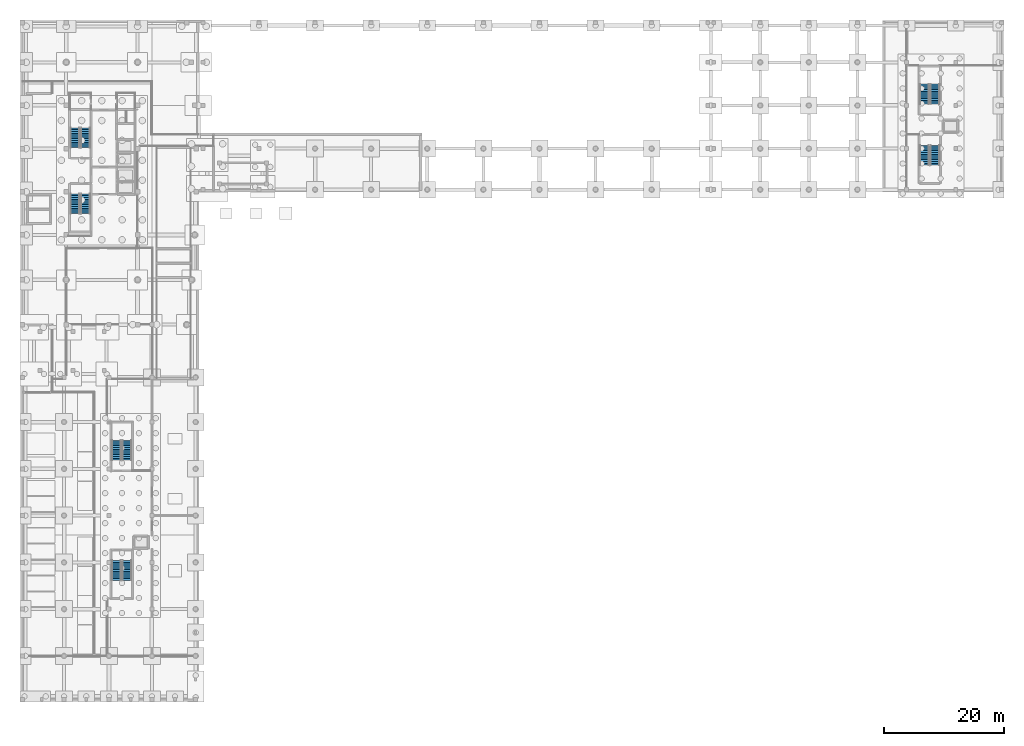
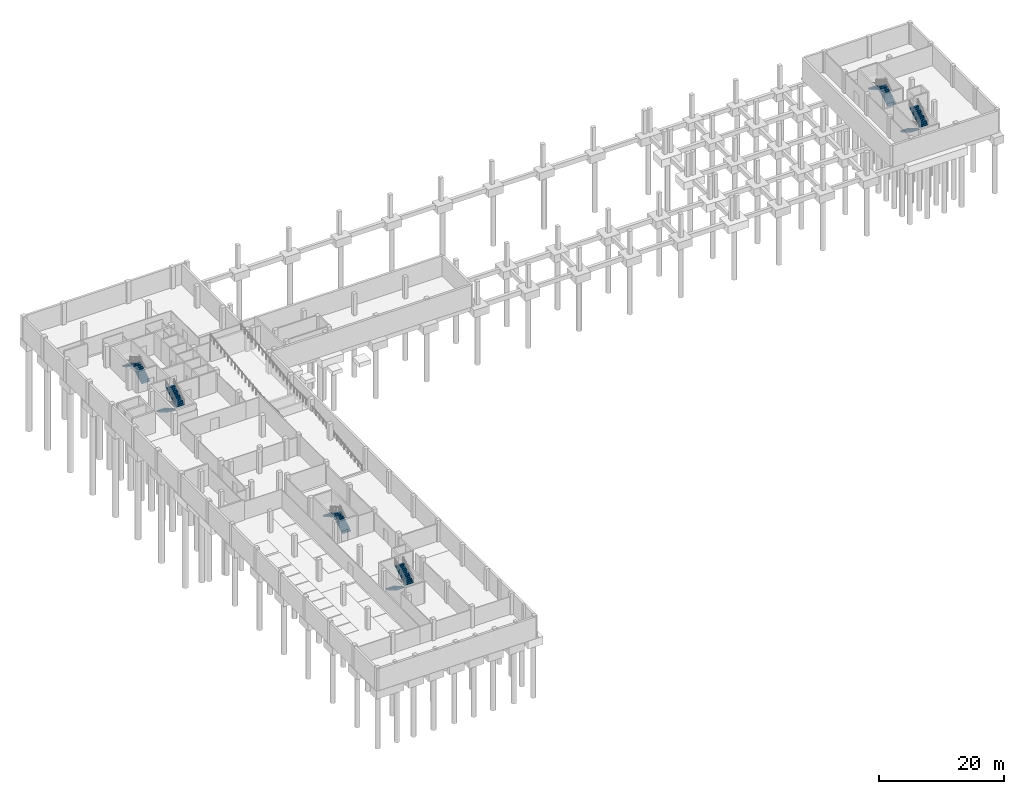
# One storey, part 15 of 21: 12 stair flights, 6 elements without a shape of their own.
"""IFC4 building model written with IfcOpenShell, lengths in metres."""

from ifc_helpers import new_model, si_unit, direction, frame, origin, place, context, subcontext, project, spatial, polyline, outline, extrude, material, type_object, element, aggregate, save


model = new_model("IFC4")

# Units and contexts
model_context = context("Model", 3, precision=1e-05, world=origin(), true_north=direction((0.0, 1.0)))
body_context = subcontext(model_context, "Body", "Model", "MODEL_VIEW")
ifc_project = project(units=[si_unit("LENGTHUNIT", "METRE"), si_unit("AREAUNIT", "SQUARE_METRE"), si_unit("VOLUMEUNIT", "CUBIC_METRE"), si_unit("PLANEANGLEUNIT", "RADIAN"), si_unit("MASSUNIT", "GRAM", prefix="KILO")], contexts=[model_context])

# Site, building, storey
site_placement = place(None, origin())
site = spatial("IfcSite", under=ifc_project, at=site_placement, CompositionType="ELEMENT")
building_placement = place(site_placement, origin())
building = spatial("IfcBuilding", under=site, at=building_placement, Name="Quillay Park Conservatory", CompositionType="ELEMENT")
storey_placement = place(building_placement, frame((0.0, 0.0, -8.39990234375)))
storey = spatial("IfcBuildingStorey", under=building, at=storey_placement, Name="B2", CompositionType="ELEMENT", Elevation=-8.39990234375)

# Stair, stair flights
ifc_material_1 = material(Name="Concrete C35/45 (NCh170 Concrete C35/45)", Category="concrete")
stair_type = type_object("IfcStairType", Name="ENCLOSED DOG LEG STAIR 4200", PredefinedType="HALF_TURN_STAIR", material=ifc_material_1)
stair_1_placement = place(storey_placement, origin())
stair_1 = element("IfcStair", 1, at=stair_1_placement, inside=storey, type_object=stair_type, Name="B2 Tower Protected Exit Stair 1", PredefinedType="HALF_TURN_STAIR")
ifc_material_2 = material(Name="Concrete C35/45 (NCh170 Concrete C35/45)", Category="concrete")
stair_flight_type = type_object("IfcStairFlightType", Name="STRAIGHT STAIR FLIGHT 4200", PredefinedType="STRAIGHT", material=ifc_material_2)
stair_flight_1_placement = place(storey_placement, frame((11.090087890625, 92.550048828125, 0.0), z_axis=(0.0, 0.0, 1.0), x_axis=(0.0, 1.0, 0.0)))
stair_flight_1 = element("IfcStairFlight", 2, at=stair_flight_1_placement, type_object=stair_flight_type, Name="ST-T1 flight 1", NumberOfRisers=12, NumberOfTreads=11, PredefinedType="STRAIGHT", RiserHeight=0.175, TreadLength=0.3, context=body_context, shape_type="SweptSolid", body=[
    extrude(outline(polyline([(0.0, 0.0), (0.0, 0.175048828125), (0.300048828125, 0.175048828125), (0.300048828125, 0.35009765625), (0.60009765625, 0.35009765625), (0.60009765625, 0.52490234375), (0.89990234375, 0.52490234375), (0.89990234375, 0.699951171875), (1.199951171875, 0.699951171875), (1.199951171875, 0.875), (1.5, 0.875), (1.5, 1.050048828125), (1.800048828125, 1.050048828125), (1.800048828125, 1.22509765625), (2.10009765625, 1.22509765625), (2.10009765625, 1.39990234375), (2.39990234375, 1.39990234375), (2.39990234375, 1.574951171875), (2.699951171875, 1.574951171875), (2.699951171875, 1.75), (3.0, 1.75), (3.0, 1.925048828125), (3.300048828125, 1.925048828125), (3.300048828125, 2.10009765625), (3.300048828125, 1.75146484375), (0.297607421875, 0.0), (0.0, 0.0)])), frame((0.0, 0.780029296875, 0.0), z_axis=(0.0, -1.0, 0.0), x_axis=(1.0, 0.0, 0.0)), (0.0, 0.0, 1.0), 1.56005859375),
])
stair_flight_2_placement = place(storey_placement, frame((9.330078125, 95.85009765625, 2.099853515625), z_axis=(0.0, 0.0, 1.0), x_axis=(0.0, -1.0, 0.0)))
stair_flight_2 = element("IfcStairFlight", 3, at=stair_flight_2_placement, type_object=stair_flight_type, Name="ST-T1 flight 2", NumberOfRisers=12, NumberOfTreads=11, PredefinedType="STRAIGHT", RiserHeight=0.175, TreadLength=0.3, context=body_context, shape_type="SweptSolid", body=[
    extrude(outline(polyline([(0.0, 0.0), (0.0, 0.175048828125), (0.300048828125, 0.175048828125), (0.300048828125, 0.35009765625), (0.60009765625, 0.35009765625), (0.60009765625, 0.52490234375), (0.89990234375, 0.52490234375), (0.89990234375, 0.699951171875), (1.199951171875, 0.699951171875), (1.199951171875, 0.875), (1.5, 0.875), (1.5, 1.050048828125), (1.800048828125, 1.050048828125), (1.800048828125, 1.22509765625), (2.10009765625, 1.22509765625), (2.10009765625, 1.39990234375), (2.39990234375, 1.39990234375), (2.39990234375, 1.574951171875), (2.699951171875, 1.574951171875), (2.699951171875, 1.75), (3.0, 1.75), (3.0, 1.925048828125), (3.300048828125, 1.925048828125), (3.300048828125, 2.10009765625), (3.300048828125, 1.75146484375), (0.297607421875, 0.0), (0.0, 0.0)])), frame((0.0, 0.780029296875, 0.0), z_axis=(0.0, -1.0, 0.0), x_axis=(1.0, 0.0, 0.0)), (0.0, 0.0, 1.0), 1.56005859375),
])
aggregate(stair_1, [stair_flight_1, stair_flight_2])

stair_2_placement = place(storey_placement, origin())
stair_2 = element("IfcStair", 4, at=stair_2_placement, inside=storey, type_object=stair_type, Name="B2 Tower Protected Exit Stair 2", PredefinedType="HALF_TURN_STAIR")
stair_flight_3_placement = place(storey_placement, frame((9.330078125, 84.85009765625, 0.0), z_axis=(0.0, 0.0, 1.0), x_axis=(0.0, -1.0, 0.0)))
stair_flight_3 = element("IfcStairFlight", 5, at=stair_flight_3_placement, type_object=stair_flight_type, Name="ST-T2 flight 1", NumberOfRisers=12, NumberOfTreads=11, PredefinedType="STRAIGHT", RiserHeight=0.175, TreadLength=0.3, context=body_context, shape_type="SweptSolid", body=[
    extrude(outline(polyline([(0.0, 0.0), (0.0, 0.175048828125), (0.300048828125, 0.175048828125), (0.300048828125, 0.35009765625), (0.60009765625, 0.35009765625), (0.60009765625, 0.52490234375), (0.89990234375, 0.52490234375), (0.89990234375, 0.699951171875), (1.199951171875, 0.699951171875), (1.199951171875, 0.875), (1.5, 0.875), (1.5, 1.050048828125), (1.800048828125, 1.050048828125), (1.800048828125, 1.22509765625), (2.10009765625, 1.22509765625), (2.10009765625, 1.39990234375), (2.39990234375, 1.39990234375), (2.39990234375, 1.574951171875), (2.699951171875, 1.574951171875), (2.699951171875, 1.75), (3.0, 1.75), (3.0, 1.925048828125), (3.300048828125, 1.925048828125), (3.300048828125, 2.10009765625), (3.300048828125, 1.75146484375), (0.297607421875, 0.0), (0.0, 0.0)])), frame((0.0, 0.780029296875, 0.0), z_axis=(0.0, -1.0, 0.0), x_axis=(1.0, 0.0, 0.0)), (0.0, 0.0, 1.0), 1.56005859375),
])
stair_flight_4_placement = place(storey_placement, frame((11.090087890625, 81.550048828125, 2.099853515625), z_axis=(0.0, 0.0, 1.0), x_axis=(0.0, 1.0, 0.0)))
stair_flight_4 = element("IfcStairFlight", 6, at=stair_flight_4_placement, type_object=stair_flight_type, Name="ST-T2 flight 2", NumberOfRisers=12, NumberOfTreads=11, PredefinedType="STRAIGHT", RiserHeight=0.175, TreadLength=0.3, context=body_context, shape_type="SweptSolid", body=[
    extrude(outline(polyline([(0.0, 0.0), (0.0, 0.175048828125), (0.300048828125, 0.175048828125), (0.300048828125, 0.35009765625), (0.60009765625, 0.35009765625), (0.60009765625, 0.52490234375), (0.89990234375, 0.52490234375), (0.89990234375, 0.699951171875), (1.199951171875, 0.699951171875), (1.199951171875, 0.875), (1.5, 0.875), (1.5, 1.050048828125), (1.800048828125, 1.050048828125), (1.800048828125, 1.22509765625), (2.10009765625, 1.22509765625), (2.10009765625, 1.39990234375), (2.39990234375, 1.39990234375), (2.39990234375, 1.574951171875), (2.699951171875, 1.574951171875), (2.699951171875, 1.75), (3.0, 1.75), (3.0, 1.925048828125), (3.300048828125, 1.925048828125), (3.300048828125, 2.10009765625), (3.300048828125, 1.75146484375), (0.297607421875, 0.0), (0.0, 0.0)])), frame((0.0, 0.780029296875, 0.0), z_axis=(0.0, -1.0, 0.0), x_axis=(1.0, 0.0, 0.0)), (0.0, 0.0, 1.0), 1.56005859375),
])
aggregate(stair_2, [stair_flight_3, stair_flight_4])

stair_3_placement = place(storey_placement, origin())
stair_3 = element("IfcStair", 7, at=stair_3_placement, inside=storey, type_object=stair_type, Name="B2 Visitor Centre Exit Stair 1", PredefinedType="HALF_TURN_STAIR")
stair_flight_5_placement = place(storey_placement, frame((16.22998046875, 23.699951171875, 0.0), z_axis=(0.0, 0.0, 1.0), x_axis=(0.0, -1.0, 0.0)))
stair_flight_5 = element("IfcStairFlight", 8, at=stair_flight_5_placement, type_object=stair_flight_type, Name="ST-V1 flight 1", NumberOfRisers=12, NumberOfTreads=11, PredefinedType="STRAIGHT", RiserHeight=0.175, TreadLength=0.3, context=body_context, shape_type="SweptSolid", body=[
    extrude(outline(polyline([(0.0, 0.0), (0.0, 0.175048828125), (0.300048828125, 0.175048828125), (0.300048828125, 0.35009765625), (0.60009765625, 0.35009765625), (0.60009765625, 0.52490234375), (0.89990234375, 0.52490234375), (0.89990234375, 0.699951171875), (1.199951171875, 0.699951171875), (1.199951171875, 0.875), (1.5, 0.875), (1.5, 1.050048828125), (1.800048828125, 1.050048828125), (1.800048828125, 1.22509765625), (2.10009765625, 1.22509765625), (2.10009765625, 1.39990234375), (2.39990234375, 1.39990234375), (2.39990234375, 1.574951171875), (2.699951171875, 1.574951171875), (2.699951171875, 1.75), (3.0, 1.75), (3.0, 1.925048828125), (3.300048828125, 1.925048828125), (3.300048828125, 2.10009765625), (3.300048828125, 1.75146484375), (0.297607421875, 0.0), (0.0, 0.0)])), frame((0.0, 0.780029296875, 0.0), z_axis=(0.0, -1.0, 0.0), x_axis=(1.0, 0.0, 0.0)), (0.0, 0.0, 1.0), 1.56005859375),
])
stair_flight_6_placement = place(storey_placement, frame((17.989990234375, 20.39990234375, 2.099853515625), z_axis=(0.0, 0.0, 1.0), x_axis=(0.0, 1.0, 0.0)))
stair_flight_6 = element("IfcStairFlight", 9, at=stair_flight_6_placement, type_object=stair_flight_type, Name="ST-V1 flight 2", NumberOfRisers=12, NumberOfTreads=11, PredefinedType="STRAIGHT", RiserHeight=0.175, TreadLength=0.3, context=body_context, shape_type="SweptSolid", body=[
    extrude(outline(polyline([(0.0, 0.0), (0.0, 0.175048828125), (0.300048828125, 0.175048828125), (0.300048828125, 0.35009765625), (0.60009765625, 0.35009765625), (0.60009765625, 0.52490234375), (0.89990234375, 0.52490234375), (0.89990234375, 0.699951171875), (1.199951171875, 0.699951171875), (1.199951171875, 0.875), (1.5, 0.875), (1.5, 1.050048828125), (1.800048828125, 1.050048828125), (1.800048828125, 1.22509765625), (2.10009765625, 1.22509765625), (2.10009765625, 1.39990234375), (2.39990234375, 1.39990234375), (2.39990234375, 1.574951171875), (2.699951171875, 1.574951171875), (2.699951171875, 1.75), (3.0, 1.75), (3.0, 1.925048828125), (3.300048828125, 1.925048828125), (3.300048828125, 2.10009765625), (3.300048828125, 1.75146484375), (0.297607421875, 0.0), (0.0, 0.0)])), frame((0.0, 0.780029296875, 0.0), z_axis=(0.0, -1.0, 0.0), x_axis=(1.0, 0.0, 0.0)), (0.0, 0.0, 1.0), 1.56005859375),
])
aggregate(stair_3, [stair_flight_5, stair_flight_6])

stair_4_placement = place(storey_placement, origin())
stair_4 = element("IfcStair", 10, at=stair_4_placement, inside=storey, type_object=stair_type, Name="B2 Visitor Centre Exit Stair 2", PredefinedType="HALF_TURN_STAIR")
stair_flight_7_placement = place(storey_placement, frame((17.989990234375, 40.449951171875, 0.0), z_axis=(0.0, 0.0, 1.0), x_axis=(0.0, 1.0, 0.0)))
stair_flight_7 = element("IfcStairFlight", 11, at=stair_flight_7_placement, type_object=stair_flight_type, Name="ST-V2 flight 1", NumberOfRisers=12, NumberOfTreads=11, PredefinedType="STRAIGHT", RiserHeight=0.175, TreadLength=0.3, context=body_context, shape_type="SweptSolid", body=[
    extrude(outline(polyline([(0.0, 0.0), (0.0, 0.175048828125), (0.300048828125, 0.175048828125), (0.300048828125, 0.35009765625), (0.60009765625, 0.35009765625), (0.60009765625, 0.52490234375), (0.89990234375, 0.52490234375), (0.89990234375, 0.699951171875), (1.199951171875, 0.699951171875), (1.199951171875, 0.875), (1.5, 0.875), (1.5, 1.050048828125), (1.800048828125, 1.050048828125), (1.800048828125, 1.22509765625), (2.10009765625, 1.22509765625), (2.10009765625, 1.39990234375), (2.39990234375, 1.39990234375), (2.39990234375, 1.574951171875), (2.699951171875, 1.574951171875), (2.699951171875, 1.75), (3.0, 1.75), (3.0, 1.925048828125), (3.300048828125, 1.925048828125), (3.300048828125, 2.10009765625), (3.300048828125, 1.75146484375), (0.297607421875, 0.0), (0.0, 0.0)])), frame((0.0, 0.780029296875, 0.0), z_axis=(0.0, -1.0, 0.0), x_axis=(1.0, 0.0, 0.0)), (0.0, 0.0, 1.0), 1.56005859375),
])
stair_flight_8_placement = place(storey_placement, frame((16.22998046875, 43.75, 2.099853515625), z_axis=(0.0, 0.0, 1.0), x_axis=(0.0, -1.0, 0.0)))
stair_flight_8 = element("IfcStairFlight", 12, at=stair_flight_8_placement, type_object=stair_flight_type, Name="ST-V2 flight 2", NumberOfRisers=12, NumberOfTreads=11, PredefinedType="STRAIGHT", RiserHeight=0.175, TreadLength=0.3, context=body_context, shape_type="SweptSolid", body=[
    extrude(outline(polyline([(0.0, 0.0), (0.0, 0.175048828125), (0.300048828125, 0.175048828125), (0.300048828125, 0.35009765625), (0.60009765625, 0.35009765625), (0.60009765625, 0.52490234375), (0.89990234375, 0.52490234375), (0.89990234375, 0.699951171875), (1.199951171875, 0.699951171875), (1.199951171875, 0.875), (1.5, 0.875), (1.5, 1.050048828125), (1.800048828125, 1.050048828125), (1.800048828125, 1.22509765625), (2.10009765625, 1.22509765625), (2.10009765625, 1.39990234375), (2.39990234375, 1.39990234375), (2.39990234375, 1.574951171875), (2.699951171875, 1.574951171875), (2.699951171875, 1.75), (3.0, 1.75), (3.0, 1.925048828125), (3.300048828125, 1.925048828125), (3.300048828125, 2.10009765625), (3.300048828125, 1.75146484375), (0.297607421875, 0.0), (0.0, 0.0)])), frame((0.0, 0.780029296875, 0.0), z_axis=(0.0, -1.0, 0.0), x_axis=(1.0, 0.0, 0.0)), (0.0, 0.0, 1.0), 1.56005859375),
])
aggregate(stair_4, [stair_flight_7, stair_flight_8])

stair_5_placement = place(storey_placement, origin())
stair_5 = element("IfcStair", 13, at=stair_5_placement, inside=storey, type_object=stair_type, Name="B2 Auditorium Exit Stair 1", PredefinedType="HALF_TURN_STAIR")
stair_flight_9_placement = place(storey_placement, frame((150.97998046875, 92.949951171875, 0.0), z_axis=(0.0, 0.0, 1.0), x_axis=(0.0, -1.0, 0.0)))
stair_flight_9 = element("IfcStairFlight", 14, at=stair_flight_9_placement, type_object=stair_flight_type, Name="ST-A1 flight 1", NumberOfRisers=12, NumberOfTreads=11, PredefinedType="STRAIGHT", RiserHeight=0.175, TreadLength=0.3, context=body_context, shape_type="SweptSolid", body=[
    extrude(outline(polyline([(0.0, 0.0), (0.0, 0.175048828125), (0.300048828125, 0.175048828125), (0.300048828125, 0.35009765625), (0.60009765625, 0.35009765625), (0.60009765625, 0.52490234375), (0.89990234375, 0.52490234375), (0.89990234375, 0.699951171875), (1.199951171875, 0.699951171875), (1.199951171875, 0.875), (1.5, 0.875), (1.5, 1.050048828125), (1.800048828125, 1.050048828125), (1.800048828125, 1.22509765625), (2.10009765625, 1.22509765625), (2.10009765625, 1.39990234375), (2.39990234375, 1.39990234375), (2.39990234375, 1.574951171875), (2.699951171875, 1.574951171875), (2.699951171875, 1.75), (3.0, 1.75), (3.0, 1.925048828125), (3.300048828125, 1.925048828125), (3.300048828125, 2.10009765625), (3.300048828125, 1.75146484375), (0.297607421875, 0.0), (0.0, 0.0)])), frame((0.0, 0.780029296875, 0.0), z_axis=(0.0, -1.0, 0.0), x_axis=(1.0, 0.0, 0.0)), (0.0, 0.0, 1.0), 1.56005859375),
])
stair_flight_10_placement = place(storey_placement, frame((152.739990234375, 89.64990234375, 2.099853515625), z_axis=(0.0, 0.0, 1.0), x_axis=(0.0, 1.0, 0.0)))
stair_flight_10 = element("IfcStairFlight", 15, at=stair_flight_10_placement, type_object=stair_flight_type, Name="ST-A1 flight 2", NumberOfRisers=12, NumberOfTreads=11, PredefinedType="STRAIGHT", RiserHeight=0.175, TreadLength=0.3, context=body_context, shape_type="SweptSolid", body=[
    extrude(outline(polyline([(0.0, 0.0), (0.0, 0.175048828125), (0.300048828125, 0.175048828125), (0.300048828125, 0.35009765625), (0.60009765625, 0.35009765625), (0.60009765625, 0.52490234375), (0.89990234375, 0.52490234375), (0.89990234375, 0.699951171875), (1.199951171875, 0.699951171875), (1.199951171875, 0.875), (1.5, 0.875), (1.5, 1.050048828125), (1.800048828125, 1.050048828125), (1.800048828125, 1.22509765625), (2.10009765625, 1.22509765625), (2.10009765625, 1.39990234375), (2.39990234375, 1.39990234375), (2.39990234375, 1.574951171875), (2.699951171875, 1.574951171875), (2.699951171875, 1.75), (3.0, 1.75), (3.0, 1.925048828125), (3.300048828125, 1.925048828125), (3.300048828125, 2.10009765625), (3.300048828125, 1.75146484375), (0.297607421875, 0.0), (0.0, 0.0)])), frame((0.0, 0.780029296875, 0.0), z_axis=(0.0, -1.0, 0.0), x_axis=(1.0, 0.0, 0.0)), (0.0, 0.0, 1.0), 1.56005859375),
])
aggregate(stair_5, [stair_flight_9, stair_flight_10])

stair_6_placement = place(storey_placement, origin())
stair_6 = element("IfcStair", 16, at=stair_6_placement, inside=storey, type_object=stair_type, Name="B2 Auditorium Exit Stair 2", PredefinedType="HALF_TURN_STAIR")
stair_flight_11_placement = place(storey_placement, frame((152.739990234375, 99.85009765625, 0.0), z_axis=(0.0, 0.0, 1.0), x_axis=(0.0, 1.0, 0.0)))
stair_flight_11 = element("IfcStairFlight", 17, at=stair_flight_11_placement, type_object=stair_flight_type, Name="ST-A2 flight 1", NumberOfRisers=12, NumberOfTreads=11, PredefinedType="STRAIGHT", RiserHeight=0.175, TreadLength=0.3, context=body_context, shape_type="SweptSolid", body=[
    extrude(outline(polyline([(0.0, 0.0), (0.0, 0.175048828125), (0.300048828125, 0.175048828125), (0.300048828125, 0.35009765625), (0.60009765625, 0.35009765625), (0.60009765625, 0.52490234375), (0.89990234375, 0.52490234375), (0.89990234375, 0.699951171875), (1.199951171875, 0.699951171875), (1.199951171875, 0.875), (1.5, 0.875), (1.5, 1.050048828125), (1.800048828125, 1.050048828125), (1.800048828125, 1.22509765625), (2.10009765625, 1.22509765625), (2.10009765625, 1.39990234375), (2.39990234375, 1.39990234375), (2.39990234375, 1.574951171875), (2.699951171875, 1.574951171875), (2.699951171875, 1.75), (3.0, 1.75), (3.0, 1.925048828125), (3.300048828125, 1.925048828125), (3.300048828125, 2.10009765625), (3.300048828125, 1.75146484375), (0.297607421875, 0.0), (0.0, 0.0)])), frame((0.0, 0.780029296875, 0.0), z_axis=(0.0, -1.0, 0.0), x_axis=(1.0, 0.0, 0.0)), (0.0, 0.0, 1.0), 1.56005859375),
])
stair_flight_12_placement = place(storey_placement, frame((150.97998046875, 103.14990234375, 2.099853515625), z_axis=(0.0, 0.0, 1.0), x_axis=(0.0, -1.0, 0.0)))
stair_flight_12 = element("IfcStairFlight", 18, at=stair_flight_12_placement, type_object=stair_flight_type, Name="ST-A2 flight 2", NumberOfRisers=12, NumberOfTreads=11, PredefinedType="STRAIGHT", RiserHeight=0.175, TreadLength=0.3, context=body_context, shape_type="SweptSolid", body=[
    extrude(outline(polyline([(0.0, 0.0), (0.0, 0.175048828125), (0.300048828125, 0.175048828125), (0.300048828125, 0.35009765625), (0.60009765625, 0.35009765625), (0.60009765625, 0.52490234375), (0.89990234375, 0.52490234375), (0.89990234375, 0.699951171875), (1.199951171875, 0.699951171875), (1.199951171875, 0.875), (1.5, 0.875), (1.5, 1.050048828125), (1.800048828125, 1.050048828125), (1.800048828125, 1.22509765625), (2.10009765625, 1.22509765625), (2.10009765625, 1.39990234375), (2.39990234375, 1.39990234375), (2.39990234375, 1.574951171875), (2.699951171875, 1.574951171875), (2.699951171875, 1.75), (3.0, 1.75), (3.0, 1.925048828125), (3.300048828125, 1.925048828125), (3.300048828125, 2.10009765625), (3.300048828125, 1.75146484375), (0.297607421875, 0.0), (0.0, 0.0)])), frame((0.0, 0.780029296875, 0.0), z_axis=(0.0, -1.0, 0.0), x_axis=(1.0, 0.0, 0.0)), (0.0, 0.0, 1.0), 1.56005859375),
])
aggregate(stair_6, [stair_flight_11, stair_flight_12])

save(model, "model.ifc")
